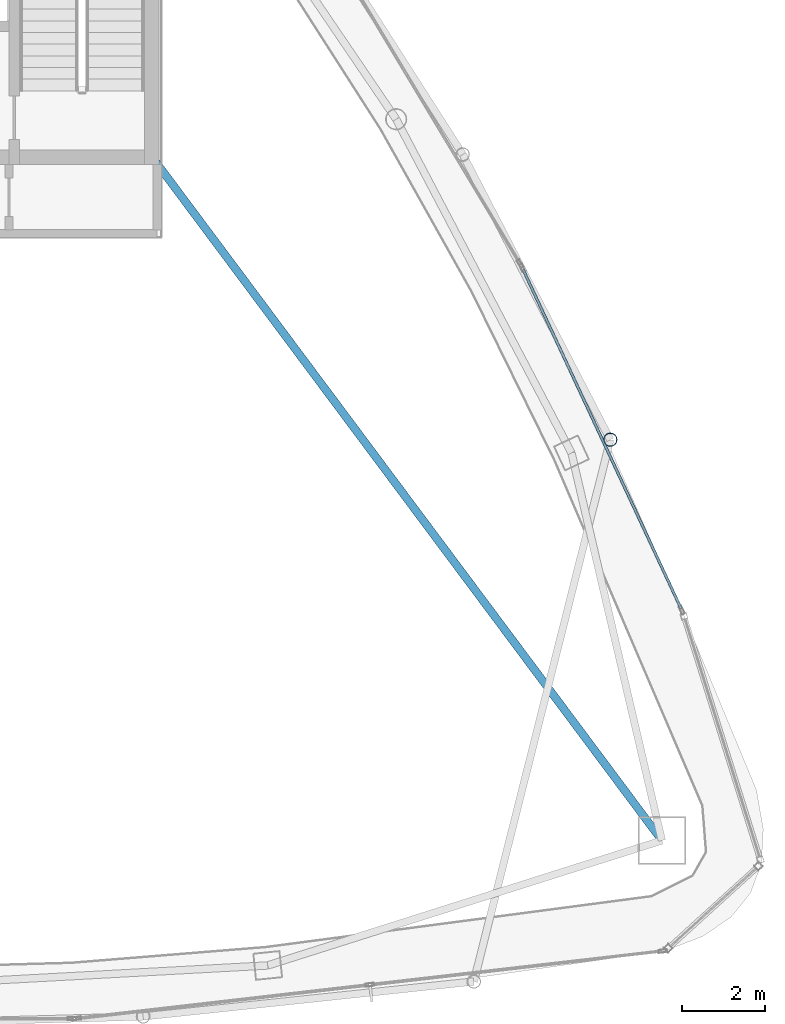
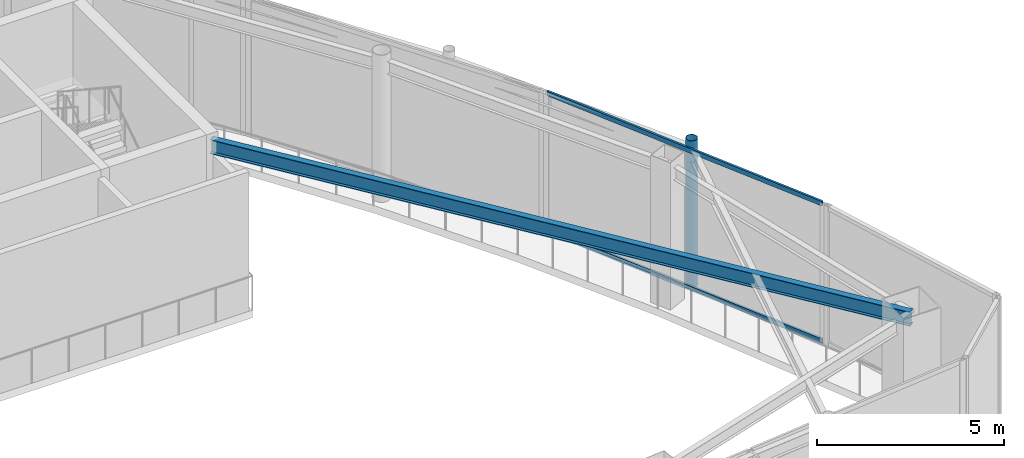
# One storey, part 12 of 19: 3 members, 1 beam, 1 element without a shape of its own.
"""IFC4 building model written with IfcOpenShell, lengths in metres."""

from ifc_helpers import new_model, si_unit, direction, frame, origin, origin_2d, place, context, subcontext, project, spatial, hollow_rectangle, hollow_circle, i_section, extrude, material, layer, layer_set, material_profile, profile_set, type_object, element, aggregate, save


model = new_model("IFC4")

# Units and contexts
model_context = context("Model", 3, precision=1e-05, world=origin(), true_north=direction((0.0, 1.0)))
body_context = subcontext(model_context, "Body", "Model", "MODEL_VIEW")
ifc_project = project(units=[si_unit("LENGTHUNIT", "METRE"), si_unit("AREAUNIT", "SQUARE_METRE"), si_unit("VOLUMEUNIT", "CUBIC_METRE"), si_unit("PLANEANGLEUNIT", "RADIAN"), si_unit("MASSUNIT", "GRAM", prefix="KILO")], contexts=[model_context])

# Site, building, storey
site_placement = place(None, origin())
site = spatial("IfcSite", under=ifc_project, at=site_placement, CompositionType="ELEMENT")
building_placement = place(site_placement, origin())
building = spatial("IfcBuilding", under=site, at=building_placement, Name="Orvanel Arch Residences", CompositionType="ELEMENT")
storey_placement = place(building_placement, frame((0.0, 0.0, 286.10009765625)))
storey = spatial("IfcBuildingStorey", under=building, at=storey_placement, Name="L81", CompositionType="ELEMENT", Elevation=286.10009765625)

# Beam
ifc_material_1 = material(Name="Structural steel AS/NZS 3679.1 Grade 300 (300 MPa)", Category="steel")
ifc_material_profile_1 = material_profile(ifc_material_1, i_section(OverallWidth=0.19091796875, OverallDepth=0.4599609375, WebThickness=0.010009765625, FlangeThickness=0.01611328125, at=origin_2d()), Name="460UB82.1")
ifc_profile_set_1 = profile_set([ifc_material_profile_1], Name="Structural steel AS/NZS 3679.1 Grade 300 (300 MPa)")
beam_type = type_object("IfcBeamType", Name="BG-460UB", PredefinedType="BEAM", material=ifc_profile_set_1)
beam_placement = place(storey_placement, frame((39.625, 26.675048828125, 4.31982421875), z_axis=(0.597893733742, -0.801575375839, 0.0), x_axis=(0.801575375839, 0.597893733742, 0.0)))
element("IfcBeam", 1, at=beam_placement, inside=storey, type_object=beam_type, Name="L81 South-East Radial Girder", PredefinedType="BEAM", context=body_context, shape_type="SweptSolid", body=[
    extrude(i_section(OverallWidth=0.19091796875, OverallDepth=0.4599609375, WebThickness=0.010009765625, FlangeThickness=0.01611328125, at=origin_2d()), origin(), (0.0, 0.0, 1.0), 20.36474609375),
])

# Member
ifc_material_2 = material(Name="Structural steel AS/NZS 1163 C350L0 (Grade 350)", Category="steel")
ifc_material_profile_2 = material_profile(ifc_material_2, hollow_circle(Radius=0.162109375, WallThickness=0.0126953125, at=origin_2d()), Name="CHS324x12.7")
ifc_profile_set_2 = profile_set([ifc_material_profile_2], Name="Structural steel AS/NZS 1163 C350L0 (Grade 350)")
member_type_1 = type_object("IfcMemberType", Name="ST-324CHS-EXT", PredefinedType="STRUT", material=ifc_profile_set_2)
member_1_placement = place(storey_placement, frame((50.56396484375, 19.9580078125, 0.0), z_axis=(0.0, 0.0, 1.0), x_axis=(1.0, 0.0, 0.0)))
element("IfcMember", 2, at=member_1_placement, inside=storey, type_object=member_type_1, Name="L81 Outer Perimeter Frame Post 09", PredefinedType="STRUT", context=body_context, shape_type="SweptSolid", body=[
    extrude(hollow_circle(Radius=0.162109375, WallThickness=0.0126953125, at=origin_2d()), origin(), (0.0, 0.0, 1.0), 4.7998046875),
])

# Curtain wall, members
ifc_material_3 = material(Name="Bronze-anodised aluminium AA6063-T6", Category="aluminium")
ifc_layer = layer(ifc_material_3, 0.2099609375)
ifc_layer_set = layer_set([ifc_layer], Name="Bronze-anodised aluminium AA6063-T6")
curtain_wall_type = type_object("IfcCurtainWallType", Name="CW7-TOP-SYS", PredefinedType="NOTDEFINED", material=ifc_layer_set)
curtain_wall_placement = place(storey_placement, origin())
curtain_wall = element("IfcCurtainWall", 3, at=curtain_wall_placement, inside=storey, type_object=curtain_wall_type, Name="L81 CW7-TOP-SYS Unitised Curtain Wall", PredefinedType="NOTDEFINED")
ifc_material_profile_3 = material_profile(ifc_material_3, hollow_rectangle(XDim=0.06494140625, YDim=0.14990234375, WallThickness=0.00390625, at=origin_2d()), Name="ALU150x65x4")
ifc_profile_set_3 = profile_set([ifc_material_profile_3], Name="Bronze-anodised aluminium AA6063-T6")
member_type_2 = type_object("IfcMemberType", Name="TRN-150x65", PredefinedType="USERDEFINED", material=ifc_profile_set_3)
member_2_placement = place(storey_placement, frame((52.26220703125, 15.906005859375, 0.032470703125), z_axis=(-0.422353742723, 0.906431087291, 0.0), x_axis=(-0.906431087291, -0.422353742723, 0.0)))
member_2 = element("IfcMember", 4, at=member_2_placement, type_object=member_type_2, Name="CW-S7 transom 1.1", ObjectType="TRANSOM", PredefinedType="USERDEFINED", context=body_context, shape_type="SweptSolid", body=[
    extrude(hollow_rectangle(XDim=0.06494140625, YDim=0.14990234375, WallThickness=0.00390625, at=origin_2d()), origin(), (0.0, 0.0, 1.0), 8.974853515625),
])
member_3_placement = place(storey_placement, frame((52.26220703125, 15.906005859375, 4.517333984375), z_axis=(-0.422353742723, 0.906431087291, 0.0), x_axis=(-0.906431087291, -0.422353742723, 0.0)))
member_3 = element("IfcMember", 5, at=member_3_placement, type_object=member_type_2, Name="CW-S7 transom 1.2", ObjectType="TRANSOM", PredefinedType="USERDEFINED", context=body_context, shape_type="SweptSolid", body=[
    extrude(hollow_rectangle(XDim=0.06494140625, YDim=0.14990234375, WallThickness=0.00390625, at=origin_2d()), origin(), (0.0, 0.0, 1.0), 8.974853515625),
])
aggregate(curtain_wall, [member_2, member_3])

save(model, "model.ifc")
